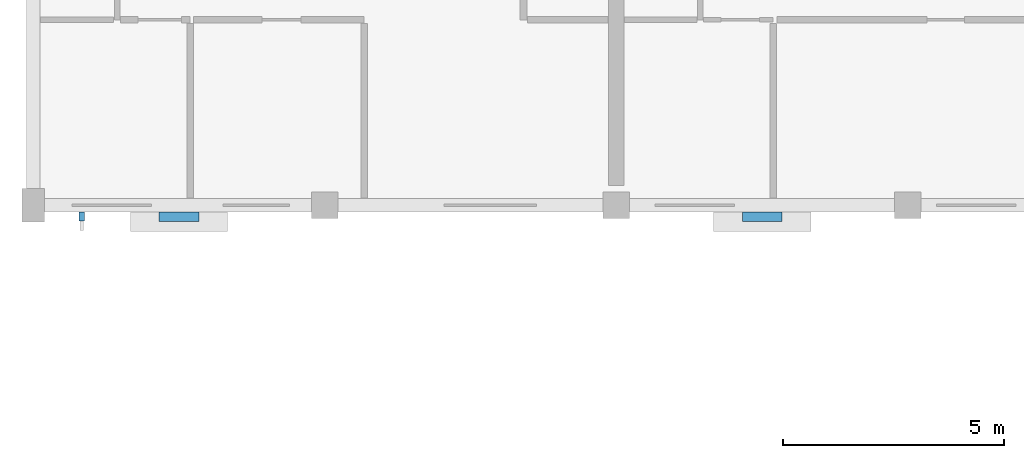
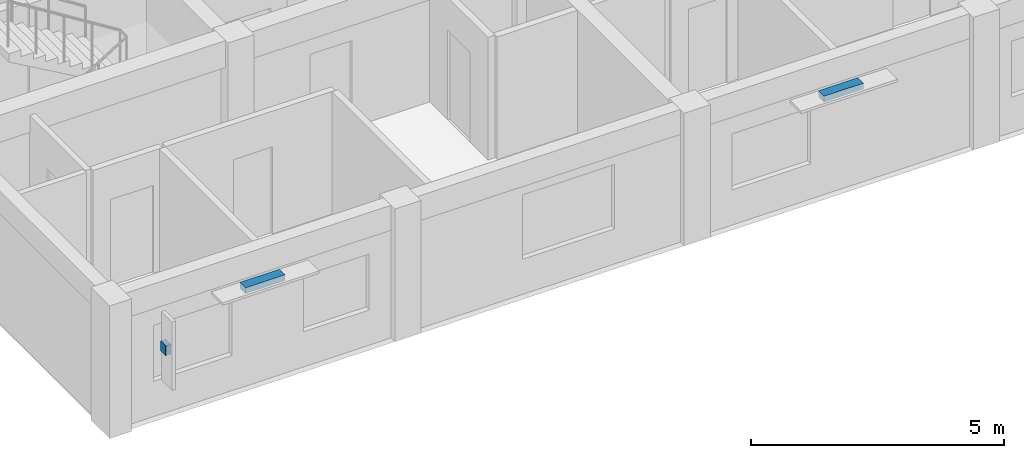
# One storey, part 43 of 52: 3 discrete accessories.
"""IFC4 building model written with IfcOpenShell, lengths in metres."""

from ifc_helpers import new_model, si_unit, direction, frame, origin, origin_2d, place, context, subcontext, project, spatial, rectangle, extrude, material, type_object, element, save


model = new_model("IFC4")

# Units and contexts
model_context = context("Model", 3, precision=1e-05, world=origin(), true_north=direction((0.0, 1.0)))
body_context = subcontext(model_context, "Body", "Model", "MODEL_VIEW")
ifc_project = project(units=[si_unit("LENGTHUNIT", "METRE"), si_unit("AREAUNIT", "SQUARE_METRE"), si_unit("VOLUMEUNIT", "CUBIC_METRE"), si_unit("PLANEANGLEUNIT", "RADIAN"), si_unit("MASSUNIT", "GRAM", prefix="KILO")], contexts=[model_context])

# Site, building, storey
site_placement = place(None, origin())
site = spatial("IfcSite", under=ifc_project, at=site_placement, CompositionType="ELEMENT")
building_placement = place(site_placement, origin())
building = spatial("IfcBuilding", under=site, at=building_placement, Name="Kernevlak Ridge Housing Community", CompositionType="ELEMENT")
storey_placement = place(building_placement, frame((0.0, 0.0, 11.60009765625)))
storey = spatial("IfcBuildingStorey", under=building, at=storey_placement, Name="L03", CompositionType="ELEMENT", Elevation=11.60009765625)

# Discrete accessories
ifc_material = material(Name="Steel S355 galvanised", Category="steel")
discrete_accessory_type = type_object("IfcDiscreteAccessoryType", Name="BK-01", PredefinedType="BRACKET", material=ifc_material)
discrete_accessory_1_placement = place(storey_placement, frame((18.89990234375, 75.739990234375, 2.41015625), z_axis=(0.0, 0.0, 1.0), x_axis=(1.0, 0.0, 0.0)))
element("IfcDiscreteAccessory", 1, at=discrete_accessory_1_placement, inside=storey, type_object=discrete_accessory_type, Name="Sunshade steel bracket 1", PredefinedType="BRACKET", context=body_context, shape_type="SweptSolid", body=[
    extrude(rectangle(XDim=0.89990234375, YDim=0.219970703125, at=origin_2d()), origin(), (0.0, 0.0, 1.0), 0.139892578125),
])
discrete_accessory_2_placement = place(storey_placement, frame((16.699951171875, 75.75, 1.52978515625), z_axis=(0.0, 0.0, 1.0), x_axis=(1.0, 0.0, 0.0)))
element("IfcDiscreteAccessory", 2, at=discrete_accessory_2_placement, inside=storey, type_object=discrete_accessory_type, Name="Vertical fin fixing bracket 1", PredefinedType="BRACKET", context=body_context, shape_type="SweptSolid", body=[
    extrude(rectangle(XDim=0.1201171875, YDim=0.199951171875, at=origin_2d()), origin(), (0.0, 0.0, 1.0), 0.239990234375),
])
discrete_accessory_3_placement = place(storey_placement, frame((32.10009765625, 75.739990234375, 2.41015625), z_axis=(0.0, 0.0, 1.0), x_axis=(1.0, 0.0, 0.0)))
element("IfcDiscreteAccessory", 3, at=discrete_accessory_3_placement, inside=storey, type_object=discrete_accessory_type, Name="Sunshade steel bracket 2", PredefinedType="BRACKET", context=body_context, shape_type="SweptSolid", body=[
    extrude(rectangle(XDim=0.89990234375, YDim=0.219970703125, at=origin_2d()), origin(), (0.0, 0.0, 1.0), 0.139892578125),
])

save(model, "model.ifc")
